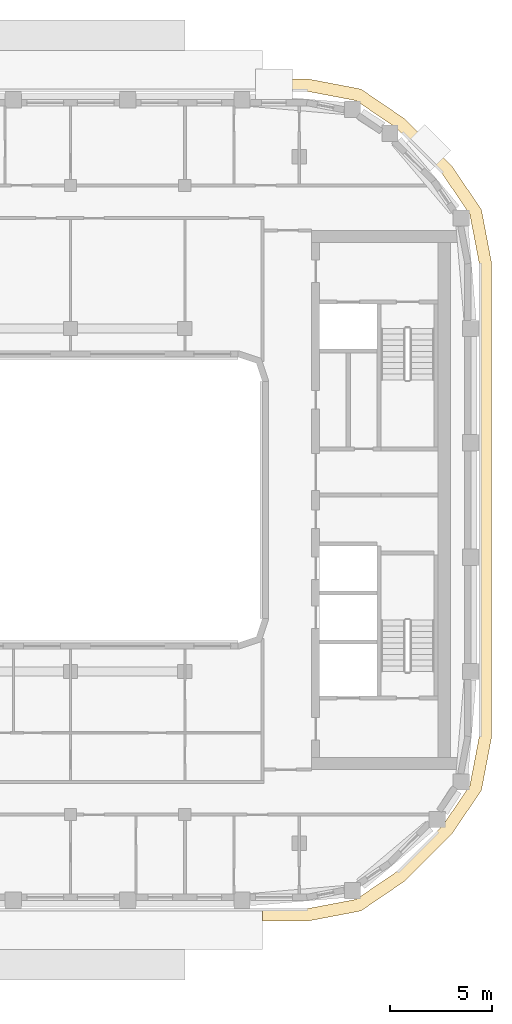
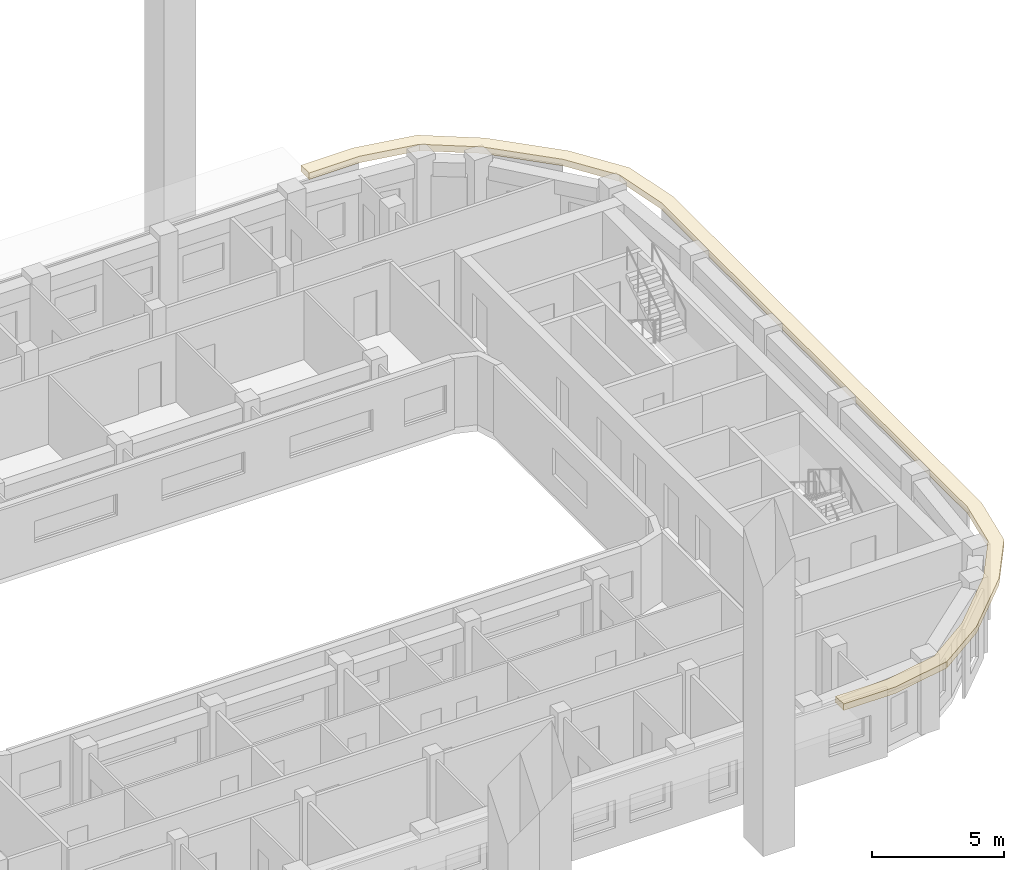
# One storey, part 16 of 18: 1 covering.
"""IFC4 building model written with IfcOpenShell, lengths in metres."""

from ifc_helpers import new_model, si_unit, direction, frame, origin, place, context, subcontext, project, spatial, polyline, outline, extrude, material, layer, layer_set, type_object, element, save


model = new_model("IFC4")

# Units and contexts
model_context = context("Model", 3, precision=1e-05, world=origin(), true_north=direction((0.0, 1.0)))
body_context = subcontext(model_context, "Body", "Model", "MODEL_VIEW")
ifc_project = project(units=[si_unit("LENGTHUNIT", "METRE"), si_unit("AREAUNIT", "SQUARE_METRE"), si_unit("VOLUMEUNIT", "CUBIC_METRE"), si_unit("PLANEANGLEUNIT", "RADIAN"), si_unit("MASSUNIT", "GRAM", prefix="KILO")], contexts=[model_context])

# Site, building, storey
site_placement = place(None, origin())
site = spatial("IfcSite", under=ifc_project, at=site_placement, CompositionType="ELEMENT")
building_placement = place(site_placement, origin())
building = spatial("IfcBuilding", under=site, at=building_placement, Name="Kiln Ring Residences", CompositionType="ELEMENT")
storey_placement = place(building_placement, frame((0.0, 0.0, 262.699951171875)))
storey = spatial("IfcBuildingStorey", under=building, at=storey_placement, Name="L68", CompositionType="ELEMENT", Elevation=262.699951171875)

# Covering
ifc_material = material(Name="Black powder-coated steel", Category="steel")
ifc_layer = layer(ifc_material, 0.300048828125)
ifc_layer_set = layer_set([ifc_layer], Name="SUNSHADE FIN 600")
covering_type = type_object("IfcCoveringType", Name="SUNSHADE FIN 600", PredefinedType="CLADDING", material=ifc_layer_set)
covering_placement = place(storey_placement, frame((0.0, 0.0, 3.199951171875)))
element("IfcCovering", 1, at=covering_placement, inside=storey, type_object=covering_type, Name="SUNSHADE FIN L68", PredefinedType="CLADDING", context=body_context, shape_type="SweptSolid", body=[
    extrude(outline(polyline([(17.29443359375, 20.60009765625), (15.0, 20.60009765625), (15.0, 20.0), (17.23779296875, 20.0), (19.58056640625, 19.552978515625), (21.55322265625, 18.21240234375), (23.8125, 15.953125), (25.153076171875, 13.980712890625), (25.60009765625, 11.6376953125), (25.60009765625, -11.6376953125), (25.153076171875, -13.980712890625), (23.8125, -15.953125), (21.55322265625, -18.21240234375), (19.58056640625, -19.552978515625), (17.23779296875, -20.0), (15.0, -20.0), (15.0, -20.60009765625), (17.29443359375, -20.60009765625), (19.815185546875, -20.119140625), (21.937255859375, -18.677001953125), (24.27685546875, -16.33740234375), (25.71923828125, -14.215087890625), (26.199951171875, -11.694580078125), (26.199951171875, 11.694580078125), (25.71923828125, 14.215087890625), (24.27685546875, 16.33740234375), (21.937255859375, 18.677001953125), (19.815185546875, 20.119140625), (17.29443359375, 20.60009765625)])), origin(), (0.0, 0.0, 1.0), 0.300048828125),
])

save(model, "model.ifc")
